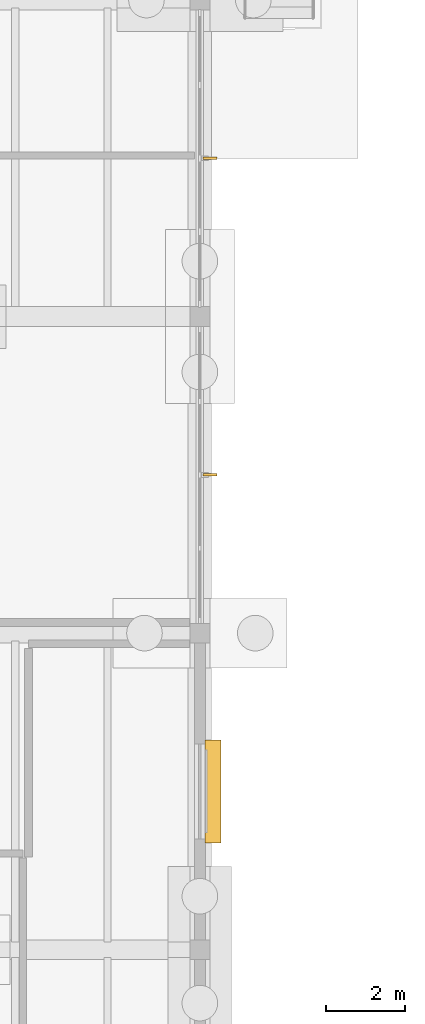
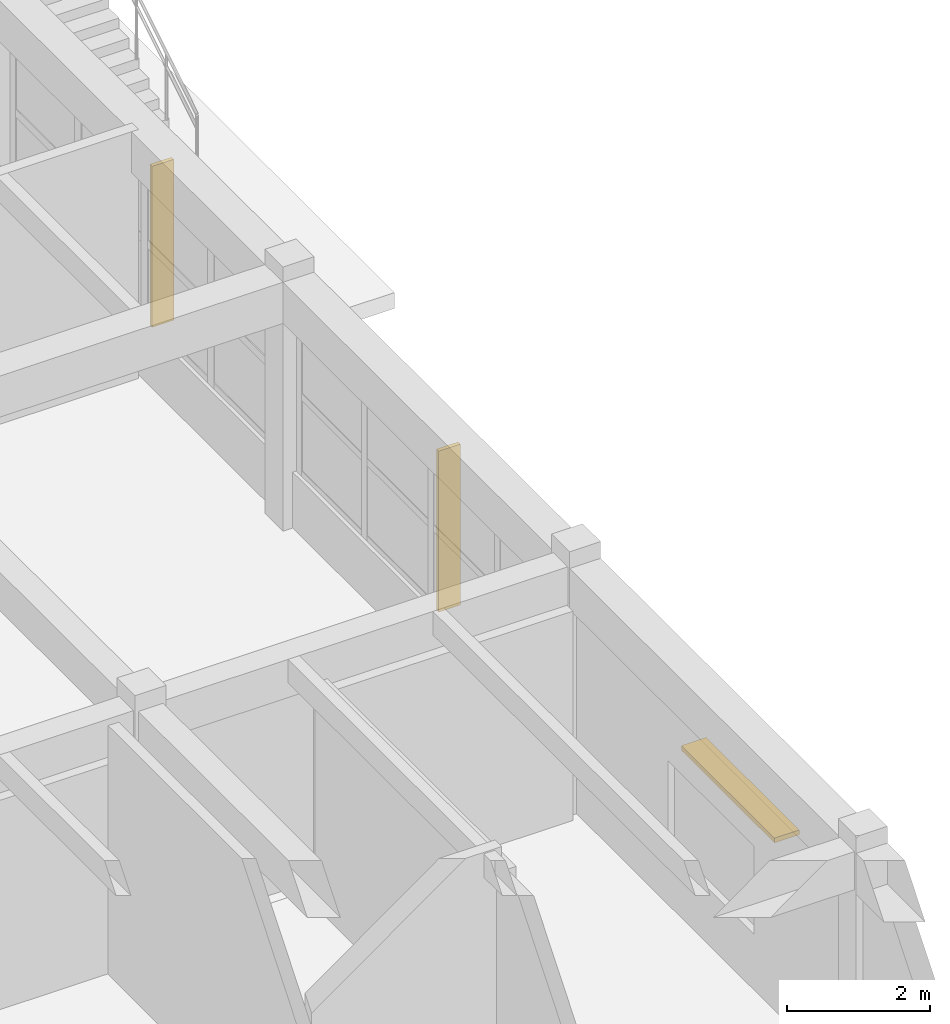
# One storey, part 96 of 99: 3 shading devices.
"""IFC4 building model written with IfcOpenShell, lengths in metres."""

from ifc_helpers import new_model, si_unit, direction, frame, origin, origin_2d, place, context, subcontext, project, spatial, rectangle, extrude, material, layer, layer_set, type_object, element, save


model = new_model("IFC4")

# Units and contexts
model_context = context("Model", 3, precision=1e-05, world=origin(), true_north=direction((0.0, 1.0)))
body_context = subcontext(model_context, "Body", "Model", "MODEL_VIEW")
ifc_project = project(units=[si_unit("LENGTHUNIT", "METRE"), si_unit("AREAUNIT", "SQUARE_METRE"), si_unit("VOLUMEUNIT", "CUBIC_METRE"), si_unit("PLANEANGLEUNIT", "RADIAN"), si_unit("MASSUNIT", "GRAM", prefix="KILO")], contexts=[model_context])

# Site, building, storey
site_placement = place(None, origin())
site = spatial("IfcSite", under=ifc_project, at=site_placement, CompositionType="ELEMENT")
building_placement = place(site_placement, origin())
building = spatial("IfcBuilding", under=site, at=building_placement, Name="Tonlespit Floodbar School", CompositionType="ELEMENT")
storey_placement = place(building_placement, origin())
storey = spatial("IfcBuildingStorey", under=building, at=storey_placement, Name="L00", CompositionType="ELEMENT", Elevation=0.0)

# Shading devices
ifc_material_1 = material(Name="Anodised Aluminium", Category="aluminium")
ifc_layer_1 = layer(ifc_material_1, 0.080078125)
ifc_layer_set_1 = layer_set([ifc_layer_1], Name="Anodised Aluminium")
shading_device_type_1 = type_object("IfcShadingDeviceType", Name="Shading_MonsoonJalousie_400", PredefinedType="JALOUSIE", material=ifc_layer_set_1)
shading_device_placement = place(storey_placement, frame((176.33544921875, 76.0, 2.469970703125), z_axis=(0.0, 0.0, 1.0), x_axis=(0.0, -1.0, 0.0)))
element("IfcShadingDevice", 1, at=shading_device_placement, inside=storey, type_object=shading_device_type_1, Name="L00 monsoon jalousie 190", PredefinedType="JALOUSIE", context=body_context, shape_type="SweptSolid", body=[
    extrude(rectangle(XDim=2.60009765625, YDim=0.39990234375, at=origin_2d()), origin(), (0.0, 0.0, 1.0), 0.080078125),
])
ifc_material_2 = material(Name="Terracotta Anodised Aluminium", Category="masonry")
ifc_layer_2 = layer(ifc_material_2, 0.06005859375)
ifc_layer_set_2 = layer_set([ifc_layer_2], Name="Terracotta Anodised Aluminium")
shading_device_type_2 = type_object("IfcShadingDeviceType", Name="Shading_SolarFin_350", PredefinedType="USERDEFINED", material=ifc_layer_set_2)
for number, where, z_axis, x_axis, name in (
    (2, (176.25244140625, 92.0, 0.7998046875), (0.0, 0.0, 1.0), (0.0, -1.0, 0.0), "L00 vertical solar fin 227"),
    (3, (176.25244140625, 84.0, 0.7998046875), (0.0, 0.0, 1.0), (0.0, -1.0, 0.0), "L00 vertical solar fin 228"),
):
    element("IfcShadingDevice", number, at=place(storey_placement, frame(where, z_axis=z_axis, x_axis=x_axis)), inside=storey, type_object=shading_device_type_2, Name=name, ObjectType="SOLAR FIN", PredefinedType="USERDEFINED", context=body_context, shape_type="SweptSolid", body=[
        extrude(rectangle(XDim=0.06005859375, YDim=0.35009765625, at=origin_2d()), origin(), (0.0, 0.0, 1.0), 2.739990234375),
    ])

save(model, "model.ifc")
